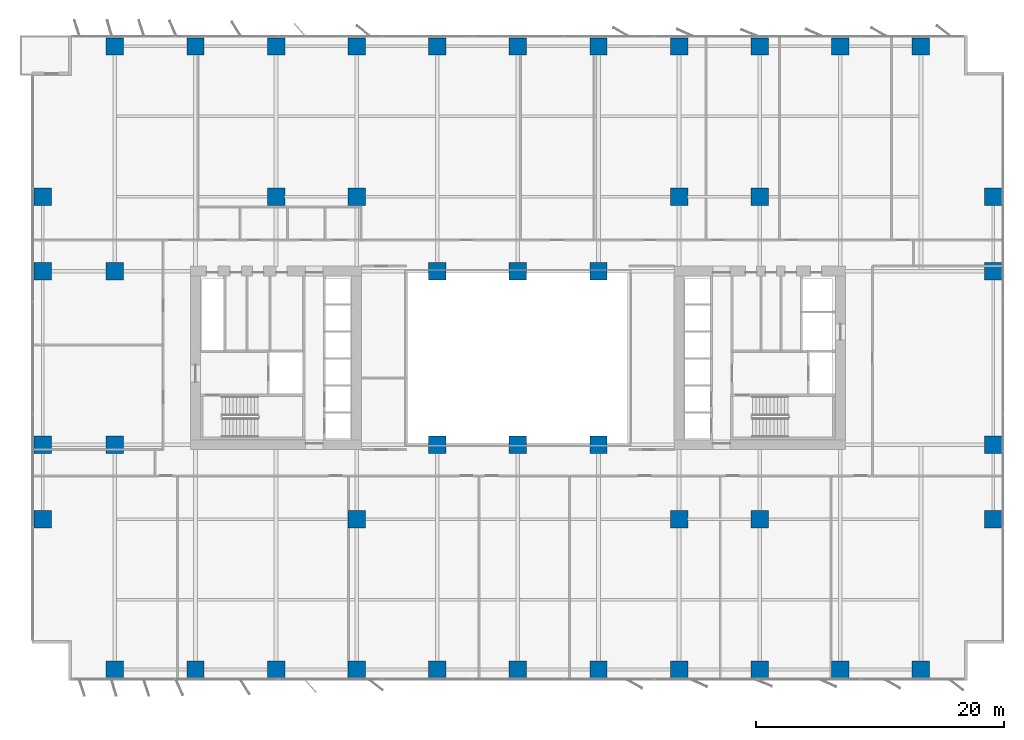
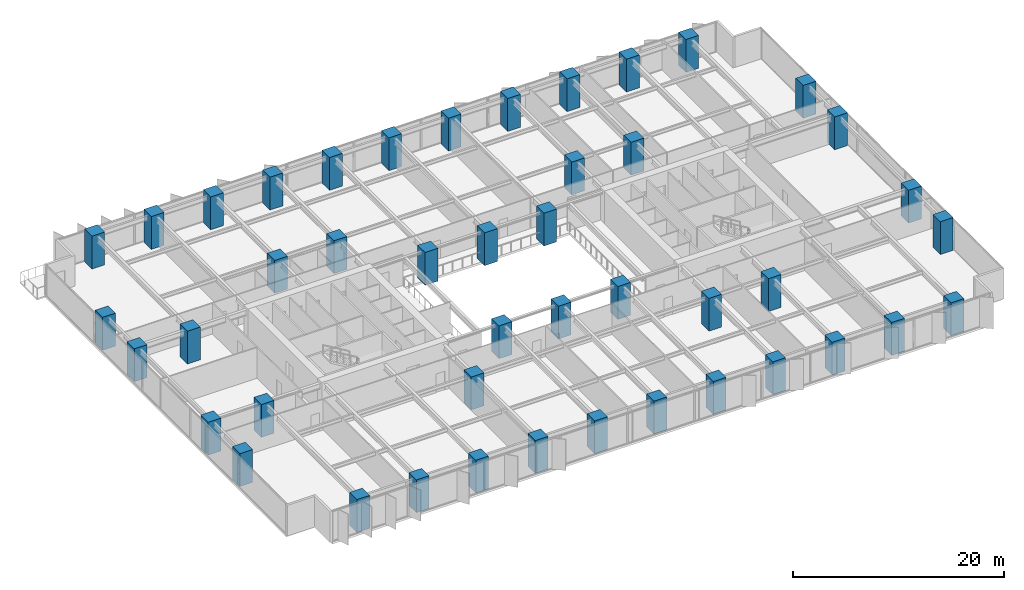
# One storey, part 1 of 20: 45 columns.
"""IFC4 building model written with IfcOpenShell, lengths in metres."""

from ifc_helpers import new_model, si_unit, direction, frame, origin, origin_2d, place, context, subcontext, project, spatial, rectangle, extrude, material, material_profile, profile_set, type_object, element, save


model = new_model("IFC4")

# Units and contexts
model_context = context("Model", 3, precision=1e-05, world=origin(), true_north=direction((0.0, 1.0)))
body_context = subcontext(model_context, "Body", "Model", "MODEL_VIEW")
ifc_project = project(units=[si_unit("LENGTHUNIT", "METRE"), si_unit("AREAUNIT", "SQUARE_METRE"), si_unit("VOLUMEUNIT", "CUBIC_METRE"), si_unit("PLANEANGLEUNIT", "RADIAN"), si_unit("MASSUNIT", "GRAM", prefix="KILO")], contexts=[model_context])

# Site, building, storey
site_placement = place(None, origin())
site = spatial("IfcSite", under=ifc_project, at=site_placement, CompositionType="ELEMENT")
building_placement = place(site_placement, origin())
building = spatial("IfcBuilding", under=site, at=building_placement, Name="Putna Gate Headquarters", CompositionType="ELEMENT")
storey_placement = place(building_placement, frame((0.0, 0.0, 73.39990234375)))
storey = spatial("IfcBuildingStorey", under=building, at=storey_placement, Name="L17", CompositionType="ELEMENT", Elevation=73.39990234375)

# Columns
ifc_material = material(Name="Concrete C60/75", Category="concrete")
ifc_material_profile_1 = material_profile(ifc_material, rectangle(XDim=1.39990234375, YDim=1.39990234375, at=origin_2d()), Name="Concrete C60/75")
ifc_profile_set_1 = profile_set([ifc_material_profile_1], Name="Concrete C60/75")
column_type_1 = type_object("IfcColumnType", Name="COL-RC1400-EXT", PredefinedType="COLUMN", material=ifc_profile_set_1)
for number, where, z_axis, x_axis, name in (
    (1, (6.5, 0.8798828125, 0.0), (0.0, 0.0, 1.0), (1.0, 0.0, 0.0), "L17 Column CP-S6"),
    (2, (6.5, 51.1201171875, 0.0), (0.0, 0.0, 1.0), (1.0, 0.0, 0.0), "L17 Column CP-N6"),
    (3, (13.0, 0.8798828125, 0.0), (0.0, 0.0, 1.0), (1.0, 0.0, 0.0), "L17 Column CP-S13"),
    (4, (13.0, 51.1201171875, 0.0), (0.0, 0.0, 1.0), (1.0, 0.0, 0.0), "L17 Column CP-N13"),
    (5, (19.5, 0.8798828125, 0.0), (0.0, 0.0, 1.0), (1.0, 0.0, 0.0), "L17 Column CP-S19"),
    (6, (19.5, 51.1201171875, 0.0), (0.0, 0.0, 1.0), (1.0, 0.0, 0.0), "L17 Column CP-N19"),
    (7, (26.0, 0.8798828125, 0.0), (0.0, 0.0, 1.0), (1.0, 0.0, 0.0), "L17 Column CP-S26"),
    (8, (26.0, 51.1201171875, 0.0), (0.0, 0.0, 1.0), (1.0, 0.0, 0.0), "L17 Column CP-N26"),
    (9, (32.5, 0.8798828125, 0.0), (0.0, 0.0, 1.0), (1.0, 0.0, 0.0), "L17 Column CP-S32"),
    (10, (32.5, 51.1201171875, 0.0), (0.0, 0.0, 1.0), (1.0, 0.0, 0.0), "L17 Column CP-N32"),
    (11, (39.0, 0.8798828125, 0.0), (0.0, 0.0, 1.0), (1.0, 0.0, 0.0), "L17 Column CP-S39"),
    (12, (39.0, 51.1201171875, 0.0), (0.0, 0.0, 1.0), (1.0, 0.0, 0.0), "L17 Column CP-N39"),
    (13, (45.5, 0.8798828125, 0.0), (0.0, 0.0, 1.0), (1.0, 0.0, 0.0), "L17 Column CP-S45"),
    (14, (45.5, 51.1201171875, 0.0), (0.0, 0.0, 1.0), (1.0, 0.0, 0.0), "L17 Column CP-N45"),
    (15, (52.0, 0.8798828125, 0.0), (0.0, 0.0, 1.0), (1.0, 0.0, 0.0), "L17 Column CP-S52"),
    (16, (52.0, 51.1201171875, 0.0), (0.0, 0.0, 1.0), (1.0, 0.0, 0.0), "L17 Column CP-N52"),
    (17, (58.5, 0.8798828125, 0.0), (0.0, 0.0, 1.0), (1.0, 0.0, 0.0), "L17 Column CP-S58"),
    (18, (58.5, 51.1201171875, 0.0), (0.0, 0.0, 1.0), (1.0, 0.0, 0.0), "L17 Column CP-N58"),
    (19, (65.0, 0.8798828125, 0.0), (0.0, 0.0, 1.0), (1.0, 0.0, 0.0), "L17 Column CP-S65"),
    (20, (65.0, 51.1201171875, 0.0), (0.0, 0.0, 1.0), (1.0, 0.0, 0.0), "L17 Column CP-N65"),
    (21, (71.5, 0.8798828125, 0.0), (0.0, 0.0, 1.0), (1.0, 0.0, 0.0), "L17 Column CP-S71"),
    (22, (71.5, 51.1201171875, 0.0), (0.0, 0.0, 1.0), (1.0, 0.0, 0.0), "L17 Column CP-N71"),
    (23, (0.679931640625, 13.0, 0.0), (0.0, 0.0, 1.0), (1.0, 0.0, 0.0), "L17 Column CP-W13"),
    (24, (77.320068359375, 13.0, 0.0), (0.0, 0.0, 1.0), (1.0, 0.0, 0.0), "L17 Column CP-E13"),
    (25, (0.679931640625, 19.0, 0.0), (0.0, 0.0, 1.0), (1.0, 0.0, 0.0), "L17 Column CP-W19"),
    (26, (77.320068359375, 19.0, 0.0), (0.0, 0.0, 1.0), (1.0, 0.0, 0.0), "L17 Column CP-E19"),
    (27, (0.679931640625, 33.0, 0.0), (0.0, 0.0, 1.0), (1.0, 0.0, 0.0), "L17 Column CP-W33"),
    (28, (77.320068359375, 33.0, 0.0), (0.0, 0.0, 1.0), (1.0, 0.0, 0.0), "L17 Column CP-E33"),
    (29, (0.679931640625, 39.0, 0.0), (0.0, 0.0, 1.0), (1.0, 0.0, 0.0), "L17 Column CP-W39"),
    (30, (77.320068359375, 39.0, 0.0), (0.0, 0.0, 1.0), (1.0, 0.0, 0.0), "L17 Column CP-E39"),
):
    element("IfcColumn", number, at=place(storey_placement, frame(where, z_axis=z_axis, x_axis=x_axis)), inside=storey, type_object=column_type_1, Name=name, PredefinedType="COLUMN", context=body_context, shape_type="SweptSolid", body=[
        extrude(rectangle(XDim=1.39990234375, YDim=1.39990234375, at=origin_2d()), origin(), (0.0, 0.0, 1.0), 3.800048828125),
    ])
ifc_material_profile_2 = material_profile(ifc_material, rectangle(XDim=1.39990234375, YDim=1.39990234375, at=origin_2d()), Name="Concrete C60/75")
ifc_profile_set_2 = profile_set([ifc_material_profile_2], Name="Concrete C60/75")
column_type_2 = type_object("IfcColumnType", Name="COL-RC1400-INT", PredefinedType="COLUMN", material=ifc_profile_set_2)
for number, where, z_axis, x_axis, name in (
    (31, (19.5, 39.0, 0.0), (0.0, 0.0, 1.0), (1.0, 0.0, 0.0), "L17 Column CSI-WN"),
    (32, (58.5, 13.0, 0.0), (0.0, 0.0, 1.0), (1.0, 0.0, 0.0), "L17 Column CSI-ES"),
    (33, (58.5, 39.0, 0.0), (0.0, 0.0, 1.0), (1.0, 0.0, 0.0), "L17 Column CSI-EN"),
    (34, (6.5, 19.0, 0.0), (0.0, 0.0, 1.0), (1.0, 0.0, 0.0), "L17 Column CSI-WM"),
    (35, (6.5, 33.0, 0.0), (0.0, 0.0, 1.0), (1.0, 0.0, 0.0), "L17 Column CSI-WNW"),
    (36, (32.5, 19.0, 0.0), (0.0, 0.0, 1.0), (1.0, 0.0, 0.0), "L17 Column CAI-S32"),
    (37, (32.5, 33.0, 0.0), (0.0, 0.0, 1.0), (1.0, 0.0, 0.0), "L17 Column CAI-N32"),
    (38, (39.0, 19.0, 0.0), (0.0, 0.0, 1.0), (1.0, 0.0, 0.0), "L17 Column CAI-S39"),
    (39, (39.0, 33.0, 0.0), (0.0, 0.0, 1.0), (1.0, 0.0, 0.0), "L17 Column CAI-N39"),
    (40, (45.5, 19.0, 0.0), (0.0, 0.0, 1.0), (1.0, 0.0, 0.0), "L17 Column CAI-S45"),
    (41, (45.5, 33.0, 0.0), (0.0, 0.0, 1.0), (1.0, 0.0, 0.0), "L17 Column CAI-N45"),
    (42, (26.0, 13.0, 0.0), (0.0, 0.0, 1.0), (1.0, 0.0, 0.0), "L17 Column CAP-WS"),
    (43, (26.0, 39.0, 0.0), (0.0, 0.0, 1.0), (1.0, 0.0, 0.0), "L17 Column CAP-WN"),
    (44, (52.0, 13.0, 0.0), (0.0, 0.0, 1.0), (1.0, 0.0, 0.0), "L17 Column CAP-ES"),
    (45, (52.0, 39.0, 0.0), (0.0, 0.0, 1.0), (1.0, 0.0, 0.0), "L17 Column CAP-EN"),
):
    element("IfcColumn", number, at=place(storey_placement, frame(where, z_axis=z_axis, x_axis=x_axis)), inside=storey, type_object=column_type_2, Name=name, PredefinedType="COLUMN", context=body_context, shape_type="SweptSolid", body=[
        extrude(rectangle(XDim=1.39990234375, YDim=1.39990234375, at=origin_2d()), origin(), (0.0, 0.0, 1.0), 3.800048828125),
    ])

save(model, "model.ifc")
